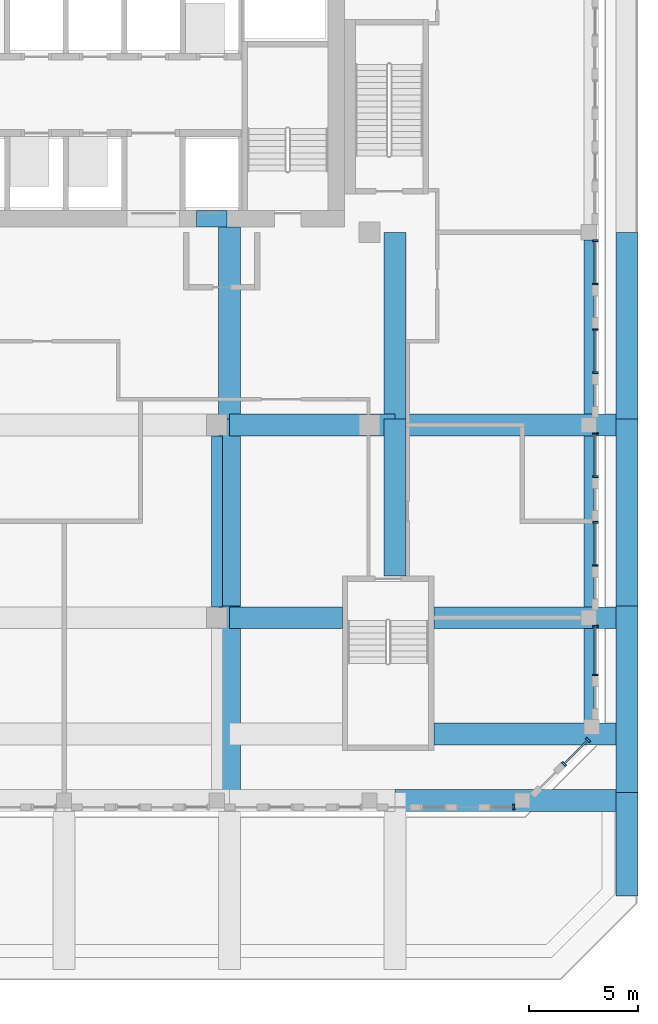
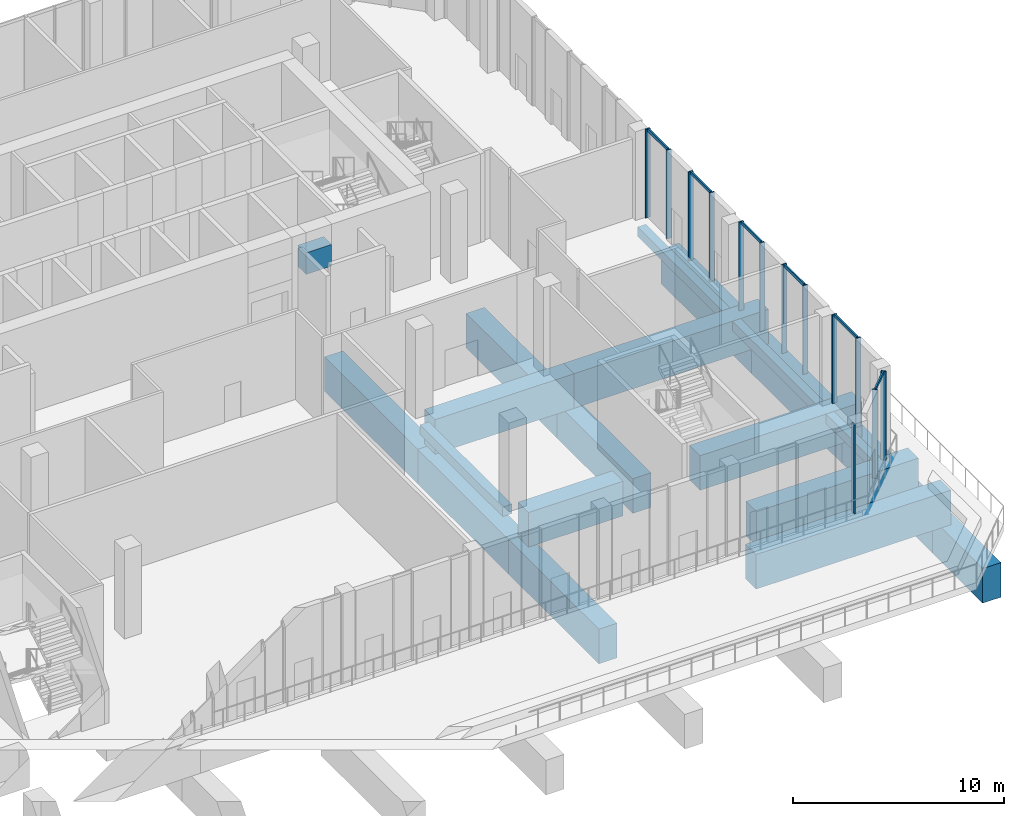
# One storey, part 4 of 18: 20 beams, 19 members, 7 elements without a shape of their own.
"""IFC4 building model written with IfcOpenShell, lengths in metres."""

from ifc_helpers import new_model, si_unit, direction, frame, origin, origin_2d, place, context, subcontext, project, spatial, rectangle, extrude, source, transform, mapped, material, material_profile, profile_set, type_object, element, aggregate, save


model = new_model("IFC4")

# Units and contexts
model_context = context("Model", 3, precision=1e-05, world=origin(), true_north=direction((0.0, 1.0)))
body_context = subcontext(model_context, "Body", "Model", "MODEL_VIEW")
ifc_project = project(units=[si_unit("LENGTHUNIT", "METRE"), si_unit("AREAUNIT", "SQUARE_METRE"), si_unit("VOLUMEUNIT", "CUBIC_METRE"), si_unit("PLANEANGLEUNIT", "RADIAN"), si_unit("MASSUNIT", "GRAM", prefix="KILO")], contexts=[model_context])

# Site, building, storey
site_placement = place(None, origin())
site = spatial("IfcSite", under=ifc_project, at=site_placement, CompositionType="ELEMENT")
building_placement = place(site_placement, origin())
building = spatial("IfcBuilding", under=site, at=building_placement, Name="Kilnfold Tower and Market Hall", CompositionType="ELEMENT")
storey_placement = place(building_placement, frame((0.0, 0.0, 233.60009765625)))
storey = spatial("IfcBuildingStorey", under=building, at=storey_placement, Name="L56", CompositionType="ELEMENT", Elevation=233.60009765625)

# Beams
ifc_material_1 = material(Name="Concrete C60", Category="concrete")
ifc_material_profile_1 = material_profile(ifc_material_1, rectangle(XDim=0.75, YDim=1.25, at=origin_2d()), Name="RC 750x1250")
ifc_profile_set_1 = profile_set([ifc_material_profile_1], Name="Concrete C60")
beam_type_1 = type_object("IfcBeamType", Name="COUPLING BEAM 750X1250 C60", PredefinedType="BEAM", material=ifc_profile_set_1)
shared_shape_1 = source(origin(), body_context, "Body", "SweptSolid", [
    extrude(rectangle(XDim=0.75, YDim=1.25, at=origin_2d()), origin(), (0.0, 0.0, 1.0), 1.39990234375),
])
beam_1_placement = place(storey_placement, frame((11.070068359375, 8.625, 3.324951171875), z_axis=(1.0, 0.0, 0.0), x_axis=(0.0, 1.0, 0.0)))
element("IfcBeam", 1, at=beam_1_placement, inside=storey, type_object=beam_type_1, Name="Coupling beam CB1250-60-CORE.43", PredefinedType="BEAM", context=body_context, shape_type="MappedRepresentation", body=[
    mapped(shared_shape_1, transform((0.0, 0.0, 0.0))),
])
ifc_material_2 = material(Name="Concrete C60", Category="concrete")
ifc_material_profile_2 = material_profile(ifc_material_2, rectangle(XDim=1.0, YDim=2.0, at=origin_2d()), Name="RC 1000x2000")
ifc_profile_set_2 = profile_set([ifc_material_profile_2], Name="Concrete C60")
beam_type_2 = type_object("IfcBeamType", Name="TRANSFER GIRDER 1000X2000 C60", PredefinedType="BEAM", material=ifc_profile_set_2)
shared_shape_2 = source(origin(), body_context, "Body", "SweptSolid", [
    extrude(rectangle(XDim=1.0, YDim=2.0, at=origin_2d()), origin(), (0.0, 0.0, 1.0), 8.5625),
])
for number, where, z_axis, x_axis, name in (
    (2, (12.580078125, -17.6875, -3.400146484375), (0.0, 1.0, 0.0), (-1.0, 0.0, 0.0), "Beam TG2000-B7.16"),
    (3, (12.580078125, -9.125, -3.400146484375), (0.0, 1.0, 0.0), (-1.0, 0.0, 0.0), "Beam TG2000-B7.17"),
    (4, (20.169921875, -0.5625, -3.400146484375), (0.0, 1.0, 0.0), (-1.0, 0.0, 0.0), "Beam TG2000-B7.22"),
    (5, (30.800048828125, -17.6875, -3.400146484375), (0.0, 1.0, 0.0), (-1.0, 0.0, 0.0), "Beam TG2000-B7.25"),
    (6, (30.800048828125, -9.125, -3.400146484375), (0.0, 1.0, 0.0), (-1.0, 0.0, 0.0), "Beam TG2000-B7.26"),
    (7, (30.800048828125, -0.5625, -3.400146484375), (0.0, 1.0, 0.0), (-1.0, 0.0, 0.0), "Beam TG2000-B7.27"),
):
    element("IfcBeam", number, at=place(storey_placement, frame(where, z_axis=z_axis, x_axis=x_axis)), inside=storey, type_object=beam_type_2, Name=name, PredefinedType="BEAM", context=body_context, shape_type="MappedRepresentation", body=[
        mapped(shared_shape_2, transform((0.0, 0.0, 0.0))),
    ])
shared_shape_3 = source(origin(), body_context, "Body", "SweptSolid", [
    extrude(rectangle(XDim=1.0, YDim=2.0, at=origin_2d()), origin(), (0.0, 0.0, 1.0), 8.8125),
])
beam_2_placement = place(storey_placement, frame((12.580078125, -0.5625, -3.400146484375), z_axis=(0.0, 1.0, 0.0), x_axis=(-1.0, 0.0, 0.0)))
element("IfcBeam", 8, at=beam_2_placement, inside=storey, type_object=beam_type_2, Name="Beam TG2000-B7.18", PredefinedType="BEAM", context=body_context, shape_type="MappedRepresentation", body=[
    mapped(shared_shape_3, transform((0.0, 0.0, 0.0))),
])
shared_shape_4 = source(origin(), body_context, "Body", "SweptSolid", [
    extrude(rectangle(XDim=1.0, YDim=2.0, at=origin_2d()), origin(), (0.0, 0.0, 1.0), 7.1875),
])
beam_3_placement = place(storey_placement, frame((20.169921875, -7.75, -3.400146484375), z_axis=(0.0, 1.0, 0.0), x_axis=(-1.0, 0.0, 0.0)))
element("IfcBeam", 9, at=beam_3_placement, inside=storey, type_object=beam_type_2, Name="Beam TG2000-B7.21", PredefinedType="BEAM", context=body_context, shape_type="MappedRepresentation", body=[
    mapped(shared_shape_4, transform((0.0, 0.0, 0.0))),
])
shared_shape_5 = source(origin(), body_context, "Body", "SweptSolid", [
    extrude(rectangle(XDim=1.0, YDim=2.0, at=origin_2d()), origin(), (0.0, 0.0, 1.0), 4.744384765625),
])
beam_4_placement = place(storey_placement, frame((30.800048828125, -22.431884765625, -3.400146484375), z_axis=(0.0, 1.0, 0.0), x_axis=(-1.0, 0.0, 0.0)))
element("IfcBeam", 10, at=beam_4_placement, inside=storey, type_object=beam_type_2, Name="Beam TG2000-B7.24", PredefinedType="BEAM", context=body_context, shape_type="MappedRepresentation", body=[
    mapped(shared_shape_5, transform((0.0, 0.0, 0.0))),
])
shared_shape_6 = source(origin(), body_context, "Body", "SweptSolid", [
    extrude(rectangle(XDim=1.0, YDim=2.0, at=origin_2d()), origin(), (0.0, 0.0, 1.0), 10.630126953125),
])
for number, where, z_axis, x_axis, name in (
    (11, (20.169921875, -18.050048828125, -1.400146484375), (1.0, 0.0, 0.0), (0.0, 1.0, 0.0), "Beam TG2000-B7.43"),
    (12, (20.169921875, -0.830078125, -1.400146484375), (1.0, 0.0, 0.0), (0.0, 1.0, 0.0), "Beam TG2000-B7.44"),
):
    element("IfcBeam", number, at=place(storey_placement, frame(where, z_axis=z_axis, x_axis=x_axis)), inside=storey, type_object=beam_type_2, Name=name, PredefinedType="BEAM", context=body_context, shape_type="MappedRepresentation", body=[
        mapped(shared_shape_6, transform((0.0, 0.0, 0.0))),
    ])
shared_shape_7 = source(origin(), body_context, "Body", "SweptSolid", [
    extrude(rectangle(XDim=1.0, YDim=2.0, at=origin_2d()), origin(), (0.0, 0.0, 1.0), 7.58984375),
])
beam_5_placement = place(storey_placement, frame((12.580078125, -0.830078125, -1.400146484375), z_axis=(1.0, 0.0, 0.0), x_axis=(0.0, 1.0, 0.0)))
element("IfcBeam", 13, at=beam_5_placement, inside=storey, type_object=beam_type_2, Name="Beam TG2000-B7.42", PredefinedType="BEAM", context=body_context, shape_type="MappedRepresentation", body=[
    mapped(shared_shape_7, transform((0.0, 0.0, 0.0))),
])
shared_shape_8 = source(origin(), body_context, "Body", "SweptSolid", [
    extrude(rectangle(XDim=1.0, YDim=2.0, at=origin_2d()), origin(), (0.0, 0.0, 1.0), 5.169921875),
])
beam_6_placement = place(storey_placement, frame((12.580078125, -9.669921875, -1.400146484375), z_axis=(1.0, 0.0, 0.0), x_axis=(0.0, 1.0, 0.0)))
element("IfcBeam", 14, at=beam_6_placement, inside=storey, type_object=beam_type_2, Name="Beam TG2000-B7.41", PredefinedType="BEAM", context=body_context, shape_type="MappedRepresentation", body=[
    mapped(shared_shape_8, transform((0.0, 0.0, 0.0))),
])
shared_shape_9 = source(origin(), body_context, "Body", "SweptSolid", [
    extrude(rectangle(XDim=1.0, YDim=2.0, at=origin_2d()), origin(), (0.0, 0.0, 1.0), 8.85009765625),
])
for number, where, z_axis, x_axis, name in (
    (15, (21.949951171875, -15.0, -1.400146484375), (1.0, 0.0, 0.0), (0.0, 1.0, 0.0), "Beam TG2000-B7.45"),
    (16, (21.949951171875, -9.669921875, -1.400146484375), (1.0, 0.0, 0.0), (0.0, 1.0, 0.0), "Beam TG2000-B7.46"),
):
    element("IfcBeam", number, at=place(storey_placement, frame(where, z_axis=z_axis, x_axis=x_axis)), inside=storey, type_object=beam_type_2, Name=name, PredefinedType="BEAM", context=body_context, shape_type="MappedRepresentation", body=[
        mapped(shared_shape_9, transform((0.0, 0.0, 0.0))),
    ])
ifc_material_3 = material(Name="Concrete C45", Category="concrete")
ifc_material_profile_3 = material_profile(ifc_material_3, rectangle(XDim=0.449951171875, YDim=0.550048828125, at=origin_2d()), Name="RC 450x550")
ifc_profile_set_3 = profile_set([ifc_material_profile_3], Name="Concrete C45")
beam_type_3 = type_object("IfcBeamType", Name="EDGE BEAM 450X550 C45", PredefinedType="BEAM", material=ifc_profile_set_3)
shared_shape_10 = source(origin(), body_context, "Body", "SweptSolid", [
    extrude(rectangle(XDim=0.449951171875, YDim=0.550048828125, at=origin_2d()), origin(), (0.0, 0.0, 1.0), 4.330078125),
])
beam_7_placement = place(storey_placement, frame((29.050048828125, -14.5, -0.675048828125), z_axis=(0.0, 1.0, 0.0), x_axis=(-1.0, 0.0, 0.0)))
element("IfcBeam", 17, at=beam_7_placement, inside=storey, type_object=beam_type_3, Name="Beam EB550-B7.55", PredefinedType="BEAM", context=body_context, shape_type="MappedRepresentation", body=[
    mapped(shared_shape_10, transform((0.0, 0.0, 0.0))),
])
shared_shape_11 = source(origin(), body_context, "Body", "SweptSolid", [
    extrude(rectangle(XDim=0.449951171875, YDim=0.550048828125, at=origin_2d()), origin(), (0.0, 0.0, 1.0), 7.83984375),
])
beam_8_placement = place(storey_placement, frame((29.050048828125, -9.169921875, -0.675048828125), z_axis=(0.0, 1.0, 0.0), x_axis=(-1.0, 0.0, 0.0)))
element("IfcBeam", 18, at=beam_8_placement, inside=storey, type_object=beam_type_3, Name="Beam EB550-B7.56", PredefinedType="BEAM", context=body_context, shape_type="MappedRepresentation", body=[
    mapped(shared_shape_11, transform((0.0, 0.0, 0.0))),
])
shared_shape_12 = source(origin(), body_context, "Body", "SweptSolid", [
    extrude(rectangle(XDim=0.449951171875, YDim=0.550048828125, at=origin_2d()), origin(), (0.0, 0.0, 1.0), 7.97998046875),
])
beam_9_placement = place(storey_placement, frame((29.050048828125, -0.330078125, -0.675048828125), z_axis=(0.0, 1.0, 0.0), x_axis=(-1.0, 0.0, 0.0)))
element("IfcBeam", 19, at=beam_9_placement, inside=storey, type_object=beam_type_3, Name="Beam EB550-B7.57", PredefinedType="BEAM", context=body_context, shape_type="MappedRepresentation", body=[
    mapped(shared_shape_12, transform((0.0, 0.0, 0.0))),
])
ifc_material_4 = material(Name="Concrete C45", Category="concrete")
ifc_material_profile_4 = material_profile(ifc_material_4, rectangle(XDim=0.5, YDim=0.550048828125, at=origin_2d()), Name="RC 500x550")
ifc_profile_set_4 = profile_set([ifc_material_profile_4], Name="Concrete C45")
beam_type_4 = type_object("IfcBeamType", Name="BEAM 500X550 C45", PredefinedType="BEAM", material=ifc_profile_set_4)
shared_shape_13 = source(origin(), body_context, "Body", "SweptSolid", [
    extrude(rectangle(XDim=0.5, YDim=0.550048828125, at=origin_2d()), origin(), (0.0, 0.0, 1.0), 7.83984375),
])
beam_10_placement = place(storey_placement, frame((12.0, -9.169921875, -0.675048828125), z_axis=(0.0, 1.0, 0.0), x_axis=(-1.0, 0.0, 0.0)))
element("IfcBeam", 20, at=beam_10_placement, inside=storey, type_object=beam_type_4, Name="Beam BB550-B7.54", PredefinedType="BEAM", context=body_context, shape_type="MappedRepresentation", body=[
    mapped(shared_shape_13, transform((0.0, 0.0, 0.0))),
])

# Curtain wall, member
ifc_material_5 = material(Name="Aluminium and double glazing", Category="aluminium")
curtain_wall_type = type_object("IfcCurtainWallType", Name="CW SKY LOBBY GLAZING", PredefinedType="NOTDEFINED", material=ifc_material_5)
curtain_wall_1_placement = place(storey_placement, origin())
curtain_wall_1 = element("IfcCurtainWall", 21, at=curtain_wall_1_placement, inside=storey, type_object=curtain_wall_type, Name="Curtain wall CW3 L56 S", PredefinedType="NOTDEFINED")
ifc_material_6 = material(Name="Aluminium", Category="aluminium")
ifc_material_profile_5 = material_profile(ifc_material_6, rectangle(XDim=0.080078125, YDim=0.25, at=origin_2d()), Name="MULLION 80x250")
ifc_profile_set_5 = profile_set([ifc_material_profile_5], Name="Aluminium")
member_type_1 = type_object("IfcMemberType", Name="MULLION 80X250", PredefinedType="MULLION", material=ifc_profile_set_5)
shared_shape_14 = source(origin(), body_context, "Body", "SweptSolid", [
    extrude(rectangle(XDim=0.080078125, YDim=0.25, at=origin_2d()), origin(), (0.0, 0.0, 1.0), 5.119873046875),
])
member_1_placement = place(storey_placement, frame((25.610107421875, -18.35009765625, 0.0), z_axis=(0.0, 0.0, 1.0), x_axis=(1.0, 0.0, 0.0)))
member_1 = element("IfcMember", 22, at=member_1_placement, type_object=member_type_1, Name="CW3 mullion 2", PredefinedType="MULLION", context=body_context, shape_type="MappedRepresentation", body=[
    mapped(shared_shape_14, transform((0.0, 0.0, 0.0))),
])
aggregate(curtain_wall_1, [member_1])

# Curtain wall, members
curtain_wall_2_placement = place(storey_placement, origin())
curtain_wall_2 = element("IfcCurtainWall", 23, at=curtain_wall_2_placement, inside=storey, type_object=curtain_wall_type, Name="Curtain wall CW3 L56 SE", PredefinedType="NOTDEFINED")
member_2_placement = place(storey_placement, frame((27.911376953125, -16.37646484375, 0.0), z_axis=(0.0, 0.0, 1.0), x_axis=(0.707106781187, 0.707106781187, 0.0)))
member_2 = element("IfcMember", 24, at=member_2_placement, type_object=member_type_1, Name="CW3 mullion 1", PredefinedType="MULLION", context=body_context, shape_type="MappedRepresentation", body=[
    mapped(shared_shape_14, transform((0.0, 0.0, 0.0))),
])
member_3_placement = place(storey_placement, frame((29.015625, -15.272216796875, 0.0), z_axis=(0.0, 0.0, 1.0), x_axis=(0.707106781187, 0.707106781187, 0.0)))
member_3 = element("IfcMember", 25, at=member_3_placement, type_object=member_type_1, Name="CW3 mullion 2", PredefinedType="MULLION", context=body_context, shape_type="MappedRepresentation", body=[
    mapped(shared_shape_14, transform((0.0, 0.0, 0.0))),
])

curtain_wall_3_placement = place(storey_placement, origin())
curtain_wall_3 = element("IfcCurtainWall", 26, at=curtain_wall_3_placement, inside=storey, type_object=curtain_wall_type, Name="Curtain wall CW3 L56 E", PredefinedType="NOTDEFINED")
member_4_placement = place(storey_placement, frame((29.35009765625, -12.291748046875, 0.0), z_axis=(0.0, 0.0, 1.0), x_axis=(0.0, 1.0, 0.0)))
member_4 = element("IfcMember", 27, at=member_4_placement, type_object=member_type_1, Name="CW3 mullion 1", PredefinedType="MULLION", context=body_context, shape_type="MappedRepresentation", body=[
    mapped(shared_shape_14, transform((0.0, 0.0, 0.0))),
])
member_5_placement = place(storey_placement, frame((29.35009765625, -10.056640625, 0.0), z_axis=(0.0, 0.0, 1.0), x_axis=(0.0, 1.0, 0.0)))
member_5 = element("IfcMember", 28, at=member_5_placement, type_object=member_type_1, Name="CW3 mullion 2", PredefinedType="MULLION", context=body_context, shape_type="MappedRepresentation", body=[
    mapped(shared_shape_14, transform((0.0, 0.0, 0.0))),
])

curtain_wall_4_placement = place(storey_placement, origin())
curtain_wall_4 = element("IfcCurtainWall", 29, at=curtain_wall_4_placement, inside=storey, type_object=curtain_wall_type, Name="Curtain wall CW3 L56 E", PredefinedType="NOTDEFINED")
member_6_placement = place(storey_placement, frame((29.35009765625, -7.276611328125, 0.0), z_axis=(0.0, 0.0, 1.0), x_axis=(0.0, 1.0, 0.0)))
member_6 = element("IfcMember", 30, at=member_6_placement, type_object=member_type_1, Name="CW3 mullion 1", PredefinedType="MULLION", context=body_context, shape_type="MappedRepresentation", body=[
    mapped(shared_shape_14, transform((0.0, 0.0, 0.0))),
])
member_7_placement = place(storey_placement, frame((29.35009765625, -5.2900390625, 0.0), z_axis=(0.0, 0.0, 1.0), x_axis=(0.0, 1.0, 0.0)))
member_7 = element("IfcMember", 31, at=member_7_placement, type_object=member_type_1, Name="CW3 mullion 2", PredefinedType="MULLION", context=body_context, shape_type="MappedRepresentation", body=[
    mapped(shared_shape_14, transform((0.0, 0.0, 0.0))),
])

curtain_wall_5_placement = place(storey_placement, origin())
curtain_wall_5 = element("IfcCurtainWall", 32, at=curtain_wall_5_placement, inside=storey, type_object=curtain_wall_type, Name="Curtain wall CW3 L56 E", PredefinedType="NOTDEFINED")
member_8_placement = place(storey_placement, frame((29.35009765625, -3.2099609375, 0.0), z_axis=(0.0, 0.0, 1.0), x_axis=(0.0, 1.0, 0.0)))
member_8 = element("IfcMember", 33, at=member_8_placement, type_object=member_type_1, Name="CW3 mullion 1", PredefinedType="MULLION", context=body_context, shape_type="MappedRepresentation", body=[
    mapped(shared_shape_14, transform((0.0, 0.0, 0.0))),
])
member_9_placement = place(storey_placement, frame((29.35009765625, -1.223388671875, 0.0), z_axis=(0.0, 0.0, 1.0), x_axis=(0.0, 1.0, 0.0)))
member_9 = element("IfcMember", 34, at=member_9_placement, type_object=member_type_1, Name="CW3 mullion 2", PredefinedType="MULLION", context=body_context, shape_type="MappedRepresentation", body=[
    mapped(shared_shape_14, transform((0.0, 0.0, 0.0))),
])

curtain_wall_6_placement = place(storey_placement, origin())
curtain_wall_6 = element("IfcCurtainWall", 35, at=curtain_wall_6_placement, inside=storey, type_object=curtain_wall_type, Name="Curtain wall CW3 L56 E", PredefinedType="NOTDEFINED")
member_10_placement = place(storey_placement, frame((29.35009765625, 1.556640625, 0.0), z_axis=(0.0, 0.0, 1.0), x_axis=(0.0, 1.0, 0.0)))
member_10 = element("IfcMember", 36, at=member_10_placement, type_object=member_type_1, Name="CW3 mullion 1", PredefinedType="MULLION", context=body_context, shape_type="MappedRepresentation", body=[
    mapped(shared_shape_14, transform((0.0, 0.0, 0.0))),
])
member_11_placement = place(storey_placement, frame((29.35009765625, 3.543212890625, 0.0), z_axis=(0.0, 0.0, 1.0), x_axis=(0.0, 1.0, 0.0)))
member_11 = element("IfcMember", 37, at=member_11_placement, type_object=member_type_1, Name="CW3 mullion 2", PredefinedType="MULLION", context=body_context, shape_type="MappedRepresentation", body=[
    mapped(shared_shape_14, transform((0.0, 0.0, 0.0))),
])

curtain_wall_7_placement = place(storey_placement, origin())
curtain_wall_7 = element("IfcCurtainWall", 38, at=curtain_wall_7_placement, inside=storey, type_object=curtain_wall_type, Name="Curtain wall CW3 L56 E", PredefinedType="NOTDEFINED")
member_12_placement = place(storey_placement, frame((29.35009765625, 5.623291015625, 0.0), z_axis=(0.0, 0.0, 1.0), x_axis=(0.0, 1.0, 0.0)))
member_12 = element("IfcMember", 39, at=member_12_placement, type_object=member_type_1, Name="CW3 mullion 1", PredefinedType="MULLION", context=body_context, shape_type="MappedRepresentation", body=[
    mapped(shared_shape_14, transform((0.0, 0.0, 0.0))),
])
member_13_placement = place(storey_placement, frame((29.35009765625, 7.610107421875, 0.0), z_axis=(0.0, 0.0, 1.0), x_axis=(0.0, 1.0, 0.0)))
member_13 = element("IfcMember", 40, at=member_13_placement, type_object=member_type_1, Name="CW3 mullion 2", PredefinedType="MULLION", context=body_context, shape_type="MappedRepresentation", body=[
    mapped(shared_shape_14, transform((0.0, 0.0, 0.0))),
])

# Member
ifc_material_7 = material(Name="Aluminium", Category="aluminium")
ifc_material_profile_6 = material_profile(ifc_material_7, rectangle(XDim=0.080078125, YDim=0.179931640625, at=origin_2d()), Name="TRANSOM 80x180")
ifc_profile_set_6 = profile_set([ifc_material_profile_6], Name="Aluminium")
member_type_2 = type_object("IfcMemberType", Name="TRANSOM 80X180", PredefinedType="USERDEFINED", material=ifc_profile_set_6)
shared_shape_15 = source(origin(), body_context, "Body", "SweptSolid", [
    extrude(rectangle(XDim=0.080078125, YDim=0.179931640625, at=origin_2d()), origin(), (0.0, 0.0, 1.0), 1.481689453125),
])
member_14_placement = place(storey_placement, frame((27.939697265625, -16.34814453125, 5.079833984375), z_axis=(0.707189160959, 0.707024391816, 0.0), x_axis=(-0.707024391816, 0.707189160959, 0.0)))
member_14 = element("IfcMember", 41, at=member_14_placement, type_object=member_type_2, Name="CW3 transom 1.2", ObjectType="TRANSOM", PredefinedType="USERDEFINED", context=body_context, shape_type="MappedRepresentation", body=[
    mapped(shared_shape_15, transform((0.0, 0.0, 0.0))),
])

aggregate(curtain_wall_2, [member_2, member_3, member_14])

shared_shape_16 = source(origin(), body_context, "Body", "SweptSolid", [
    extrude(rectangle(XDim=0.080078125, YDim=0.179931640625, at=origin_2d()), origin(), (0.0, 0.0, 1.0), 2.155029296875),
])
member_15_placement = place(storey_placement, frame((29.35009765625, -12.251708984375, 5.079833984375), z_axis=(0.0, 1.0, 0.0), x_axis=(-1.0, 0.0, 0.0)))
member_15 = element("IfcMember", 42, at=member_15_placement, type_object=member_type_2, Name="CW3 transom 1.2", ObjectType="TRANSOM", PredefinedType="USERDEFINED", context=body_context, shape_type="MappedRepresentation", body=[
    mapped(shared_shape_16, transform((0.0, 0.0, 0.0))),
])

aggregate(curtain_wall_3, [member_4, member_5, member_15])

shared_shape_17 = source(origin(), body_context, "Body", "SweptSolid", [
    extrude(rectangle(XDim=0.080078125, YDim=0.179931640625, at=origin_2d()), origin(), (0.0, 0.0, 1.0), 1.90673828125),
])
member_16_placement = place(storey_placement, frame((29.35009765625, -7.23681640625, 5.079833984375), z_axis=(0.0, 1.0, 0.0), x_axis=(-1.0, 0.0, 0.0)))
member_16 = element("IfcMember", 43, at=member_16_placement, type_object=member_type_2, Name="CW3 transom 1.2", ObjectType="TRANSOM", PredefinedType="USERDEFINED", context=body_context, shape_type="MappedRepresentation", body=[
    mapped(shared_shape_17, transform((0.0, 0.0, 0.0))),
])

aggregate(curtain_wall_4, [member_6, member_7, member_16])

member_17_placement = place(storey_placement, frame((29.35009765625, -3.169921875, 5.079833984375), z_axis=(0.0, 1.0, 0.0), x_axis=(-1.0, 0.0, 0.0)))
member_17 = element("IfcMember", 44, at=member_17_placement, type_object=member_type_2, Name="CW3 transom 1.2", ObjectType="TRANSOM", PredefinedType="USERDEFINED", context=body_context, shape_type="MappedRepresentation", body=[
    mapped(shared_shape_17, transform((0.0, 0.0, 0.0))),
])

aggregate(curtain_wall_5, [member_8, member_9, member_17])

member_18_placement = place(storey_placement, frame((29.35009765625, 1.5966796875, 5.079833984375), z_axis=(0.0, 1.0, 0.0), x_axis=(-1.0, 0.0, 0.0)))
member_18 = element("IfcMember", 45, at=member_18_placement, type_object=member_type_2, Name="CW3 transom 1.2", ObjectType="TRANSOM", PredefinedType="USERDEFINED", context=body_context, shape_type="MappedRepresentation", body=[
    mapped(shared_shape_17, transform((0.0, 0.0, 0.0))),
])

aggregate(curtain_wall_6, [member_10, member_11, member_18])

member_19_placement = place(storey_placement, frame((29.35009765625, 5.663330078125, 5.079833984375), z_axis=(0.0, 1.0, 0.0), x_axis=(-1.0, 0.0, 0.0)))
member_19 = element("IfcMember", 46, at=member_19_placement, type_object=member_type_2, Name="CW3 transom 1.2", ObjectType="TRANSOM", PredefinedType="USERDEFINED", context=body_context, shape_type="MappedRepresentation", body=[
    mapped(shared_shape_17, transform((0.0, 0.0, 0.0))),
])

aggregate(curtain_wall_7, [member_12, member_13, member_19])

save(model, "model.ifc")
